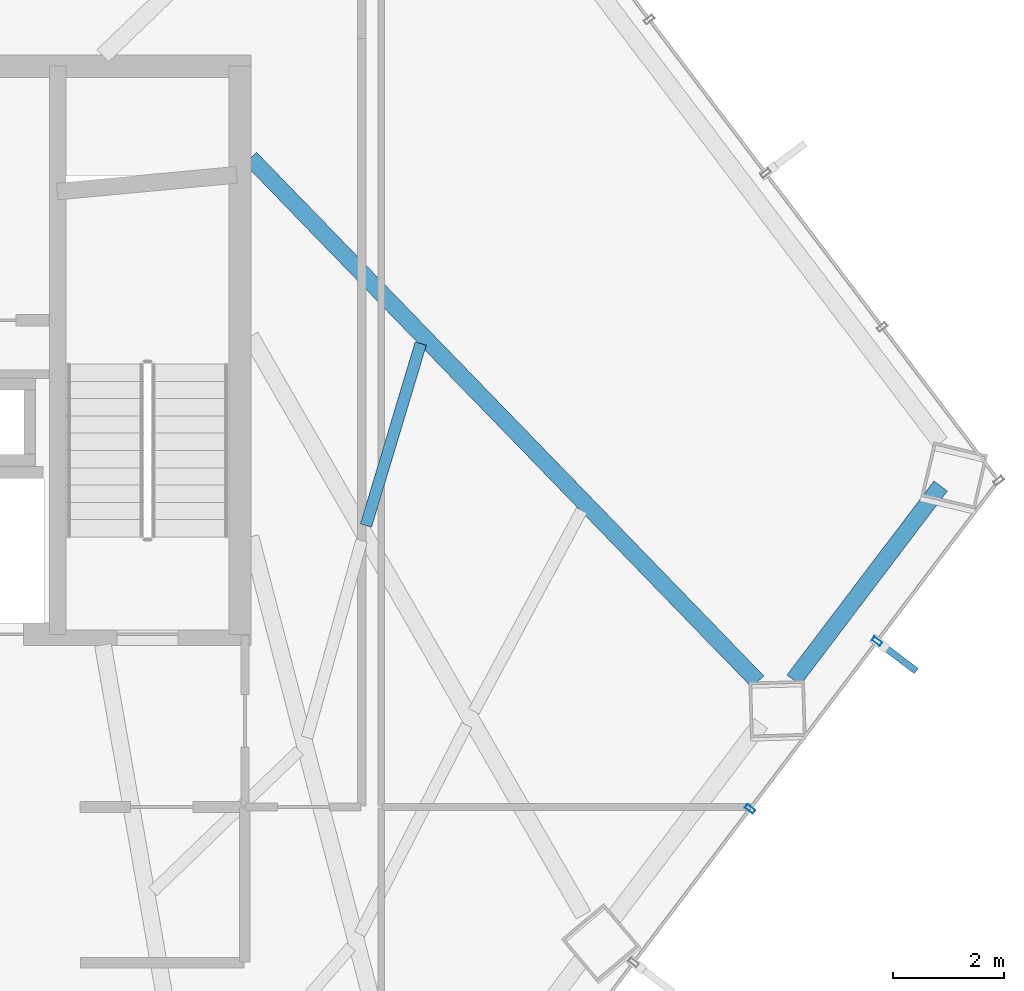
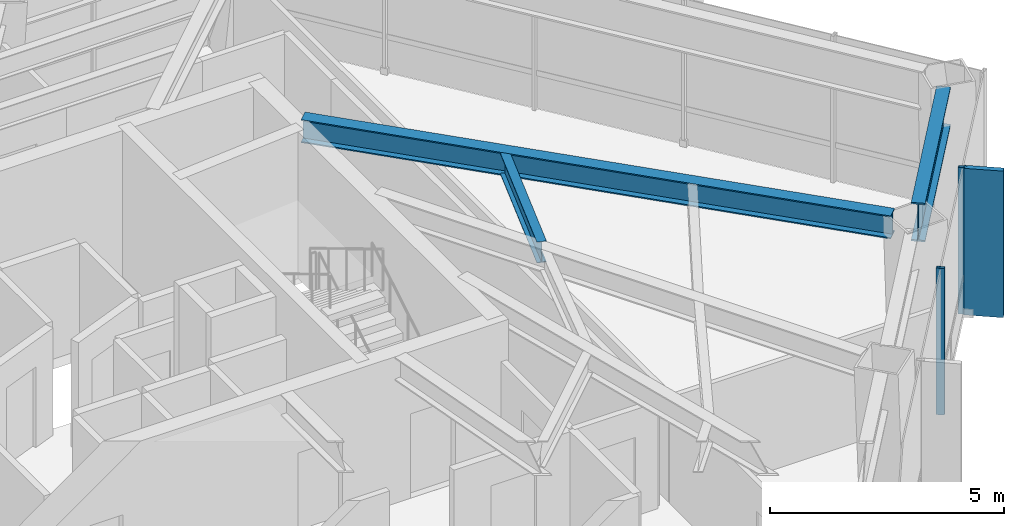
# One storey, part 16 of 24: 3 beams, 3 members, 1 element without a shape of its own.
"""IFC4 building model written with IfcOpenShell, lengths in metres."""

from ifc_helpers import new_model, si_unit, direction, frame, origin, origin_2d, place, context, subcontext, project, spatial, rectangle, hollow_rectangle, i_section, extrude, material, layer, layer_set, material_profile, profile_set, type_object, element, aggregate, save


model = new_model("IFC4")

# Units and contexts
model_context = context("Model", 3, precision=1e-05, world=origin(), true_north=direction((0.0, 1.0)))
body_context = subcontext(model_context, "Body", "Model", "MODEL_VIEW")
ifc_project = project(units=[si_unit("LENGTHUNIT", "METRE"), si_unit("AREAUNIT", "SQUARE_METRE"), si_unit("VOLUMEUNIT", "CUBIC_METRE"), si_unit("PLANEANGLEUNIT", "RADIAN"), si_unit("MASSUNIT", "GRAM", prefix="KILO")], contexts=[model_context])

# Site, building, storey
site_placement = place(None, origin())
site = spatial("IfcSite", under=ifc_project, at=site_placement, CompositionType="ELEMENT")
building_placement = place(site_placement, origin())
building = spatial("IfcBuilding", under=site, at=building_placement, Name="Zarrinselat Tower", CompositionType="ELEMENT")
storey_placement = place(building_placement, frame((0.0, 0.0, 68.340087890625)))
storey = spatial("IfcBuildingStorey", under=building, at=storey_placement, Name="L16", CompositionType="ELEMENT", Elevation=68.340087890625)

# Beams
ifc_material_1 = material(Name="Steel S355J2", Category="steel")
ifc_material_profile_1 = material_profile(ifc_material_1, i_section(OverallWidth=0.300048828125, OverallDepth=0.60009765625, WebThickness=0.015380859375, FlangeThickness=0.030029296875, at=origin_2d()), Name="HEB 600")
ifc_profile_set_1 = profile_set([ifc_material_profile_1], Name="Steel S355J2")
beam_type_1 = type_object("IfcBeamType", Name="BM-HEB600", PredefinedType="BEAM", material=ifc_profile_set_1)
beam_1_placement = place(storey_placement, frame((48.449951171875, 41.800048828125, 3.52001953125), z_axis=(0.695892936098, -0.718145543388, 0.0), x_axis=(0.718145543388, 0.695892936098, 0.0)))
element("IfcBeam", 1, at=beam_1_placement, inside=storey, type_object=beam_type_1, Name="L16 Radial Primary Girder RG14", PredefinedType="BEAM", context=body_context, shape_type="SweptSolid", body=[
    extrude(i_section(OverallWidth=0.300048828125, OverallDepth=0.60009765625, WebThickness=0.015380859375, FlangeThickness=0.030029296875, at=origin_2d()), origin(), (0.0, 0.0, 1.0), 13.0888671875),
])
ifc_material_2 = material(Name="Steel S460M", Category="steel")
ifc_material_profile_2 = material_profile(ifc_material_2, i_section(OverallWidth=0.302001953125, OverallDepth=1.008056640625, WebThickness=0.02099609375, FlangeThickness=0.0400390625, at=origin_2d()), Name="HEM 1000")
ifc_profile_set_2 = profile_set([ifc_material_profile_2], Name="Steel S460M")
beam_type_2 = type_object("IfcBeamType", Name="BM-HEM1000", PredefinedType="BEAM", material=ifc_profile_set_2)
beam_2_placement = place(storey_placement, frame((58.202392578125, 32.428955078125, 3.31591796875), z_axis=(0.60386306555, 0.797088074221, 0.0), x_axis=(-0.797088074221, 0.60386306555, 0.0)))
element("IfcBeam", 2, at=beam_2_placement, inside=storey, type_object=beam_type_2, Name="L16 Perimeter Spandrel Girder SP14", PredefinedType="BEAM", context=body_context, shape_type="SweptSolid", body=[
    extrude(i_section(OverallWidth=0.302001953125, OverallDepth=1.008056640625, WebThickness=0.02099609375, FlangeThickness=0.0400390625, at=origin_2d()), origin(), (0.0, 0.0, 1.0), 4.370361328125),
])
ifc_material_3 = material(Name="Steel S355J2", Category="steel")
ifc_material_profile_3 = material_profile(ifc_material_3, i_section(OverallWidth=0.2099609375, OverallDepth=0.550048828125, WebThickness=0.010986328125, FlangeThickness=0.01708984375, at=origin_2d()), Name="IPE 550")
ifc_profile_set_3 = profile_set([ifc_material_profile_3], Name="Steel S355J2")
beam_type_3 = type_object("IfcBeamType", Name="BM-IPE550", PredefinedType="JOIST", material=ifc_profile_set_3)
beam_3_placement = place(storey_placement, frame((50.523193359375, 35.20263671875, 3.544921875), z_axis=(0.288187950161, 0.957573864191, 0.0), x_axis=(-0.957573864191, 0.288187950161, 0.0)))
element("IfcBeam", 3, at=beam_3_placement, inside=storey, type_object=beam_type_3, Name="L16 Composite Floor Joist 5-2", PredefinedType="JOIST", context=body_context, shape_type="SweptSolid", body=[
    extrude(i_section(OverallWidth=0.2099609375, OverallDepth=0.550048828125, WebThickness=0.010986328125, FlangeThickness=0.01708984375, at=origin_2d()), origin(), (0.0, 0.0, 1.0), 3.412353515625),
])

# Curtain wall, members
ifc_material_4 = material(Name="Extruded Aluminium Alloy EN AW-6063 T6", Category="aluminium")
ifc_layer = layer(ifc_material_4, 0.18505859375)
ifc_layer_set = layer_set([ifc_layer], Name="Extruded Aluminium Alloy EN AW-6063 T6")
curtain_wall_type = type_object("IfcCurtainWallType", Name="CWS-OFF", PredefinedType="NOTDEFINED", material=ifc_layer_set)
curtain_wall_placement = place(storey_placement, origin())
curtain_wall = element("IfcCurtainWall", 4, at=curtain_wall_placement, inside=storey, type_object=curtain_wall_type, Name="L16 Unitised Curtain Wall CW-L16-E04", PredefinedType="NOTDEFINED")
ifc_material_5 = material(Name="Extruded Aluminium Alloy EN AW-6063 T6", Category="aluminium")
ifc_material_profile_4 = material_profile(ifc_material_5, hollow_rectangle(XDim=0.080078125, YDim=0.179931640625, WallThickness=0.0048828125, at=origin_2d()), Name="RHS 180x80x5")
ifc_profile_set_4 = profile_set([ifc_material_profile_4], Name="Extruded Aluminium Alloy EN AW-6063 T6")
member_type_1 = type_object("IfcMemberType", Name="MEM-CW-MUL", PredefinedType="MULLION", material=ifc_profile_set_4)
member_1_placement = place(storey_placement, frame((59.697998046875, 33.12451171875, 0.0), z_axis=(0.0, 0.0, 1.0), x_axis=(-0.603859195889, -0.797091005808, 0.0)))
member_1 = element("IfcMember", 5, at=member_1_placement, type_object=member_type_1, Name="CW-L16-E04 Mullion 1", PredefinedType="MULLION", context=body_context, shape_type="SweptSolid", body=[
    extrude(hollow_rectangle(XDim=0.080078125, YDim=0.179931640625, WallThickness=0.0048828125, at=origin_2d()), origin(), (0.0, 0.0, 1.0), 3.81982421875),
])
member_2_placement = place(storey_placement, frame((57.417236328125, 30.11376953125, 0.0), z_axis=(0.0, 0.0, 1.0), x_axis=(-0.603859195889, -0.797091005808, 0.0)))
member_2 = element("IfcMember", 6, at=member_2_placement, type_object=member_type_1, Name="CW-L16-E04 Mullion 2", PredefinedType="MULLION", context=body_context, shape_type="SweptSolid", body=[
    extrude(hollow_rectangle(XDim=0.080078125, YDim=0.179931640625, WallThickness=0.0048828125, at=origin_2d()), origin(), (0.0, 0.0, 1.0), 3.81982421875),
])
ifc_material_6 = material(Name="Honed Cream Travertine Stone", Category="masonry")
ifc_material_profile_5 = material_profile(ifc_material_6, rectangle(XDim=0.1201171875, YDim=0.85009765625, at=origin_2d()), Name="FIN 850x120")
ifc_profile_set_5 = profile_set([ifc_material_profile_5], Name="Honed Cream Travertine Stone")
member_type_2 = type_object("IfcMemberType", Name="MEM-STONE-FIN", PredefinedType="USERDEFINED", material=ifc_profile_set_5)
member_3_placement = place(storey_placement, frame((60.064697265625, 32.8466796875, 0.0), z_axis=(0.0, 0.0, 1.0), x_axis=(-0.603859195889, -0.797091005808, 0.0)))
member_3 = element("IfcMember", 7, at=member_3_placement, type_object=member_type_2, Name="L16 Stone Shading Fin CW-L16-E04-01", ObjectType="FIN", PredefinedType="USERDEFINED", context=body_context, shape_type="SweptSolid", body=[
    extrude(rectangle(XDim=0.1201171875, YDim=0.85009765625, at=origin_2d()), origin(), (0.0, 0.0, 1.0), 3.81982421875),
])
aggregate(curtain_wall, [member_1, member_3, member_2])

save(model, "model.ifc")
